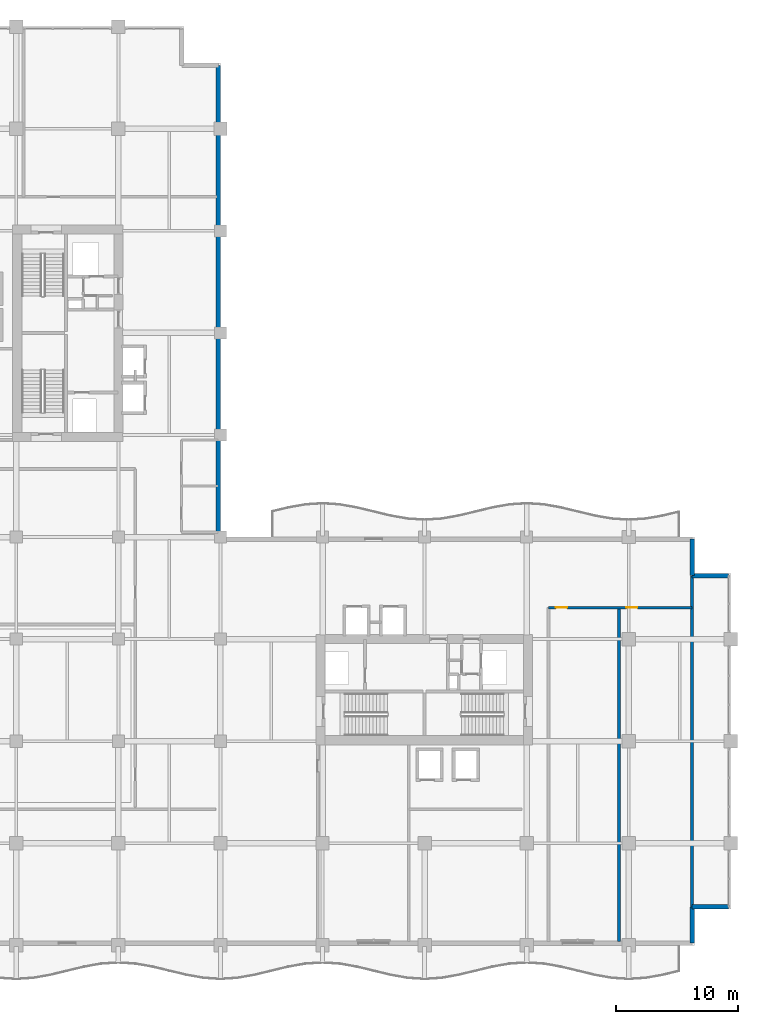
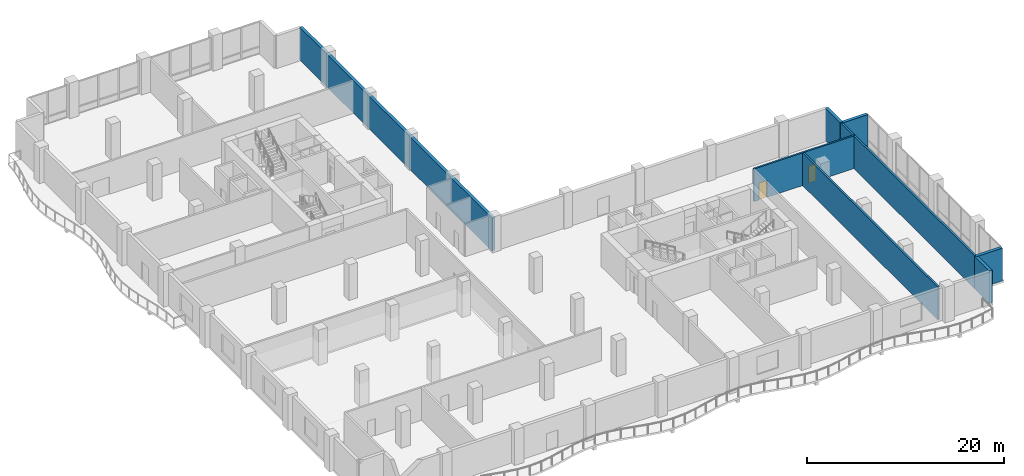
# One storey, part 18 of 25: 8 walls, 2 doors, 2 openings.
"""IFC4 building model written with IfcOpenShell, lengths in metres."""

from ifc_helpers import new_model, si_unit, direction, frame, frame_2d, origin, place, context, subcontext, project, spatial, rectangle, extrude, material, layer, layer_set, type_object, element, fill, save


model = new_model("IFC4")

# Units and contexts
model_context = context("Model", 3, precision=1e-05, world=origin(), true_north=direction((0.0, 1.0)))
body_context = subcontext(model_context, "Body", "Model", "MODEL_VIEW")
ifc_project = project(units=[si_unit("LENGTHUNIT", "METRE"), si_unit("AREAUNIT", "SQUARE_METRE"), si_unit("VOLUMEUNIT", "CUBIC_METRE"), si_unit("PLANEANGLEUNIT", "RADIAN"), si_unit("MASSUNIT", "GRAM", prefix="KILO")], contexts=[model_context])

# Site, building, storey
site_placement = place(None, origin())
site = spatial("IfcSite", under=ifc_project, at=site_placement, CompositionType="ELEMENT")
building_placement = place(site_placement, origin())
building = spatial("IfcBuilding", under=site, at=building_placement, Name="Koriwani Terraces Tower", CompositionType="ELEMENT")
storey_placement = place(building_placement, frame((0.0, 0.0, 157.60009765625)))
storey = spatial("IfcBuildingStorey", under=building, at=storey_placement, Name="L38", CompositionType="ELEMENT", Elevation=157.60009765625)

# Wall, openings, doors
ifc_material_1 = material(Name="Autoclaved Cellular Concrete Blockwork", Category="masonry")
ifc_layer_1 = layer(ifc_material_1, 0.199951171875, Name="Autoclaved Cellular Concrete Blockwork")
ifc_layer_set_1 = layer_set([ifc_layer_1], Name="Autoclaved Cellular Concrete Blockwork")
wall_type_1 = type_object("IfcWallType", Name="WALL_CORRIDOR_200", PredefinedType="PARTITIONING", material=ifc_layer_set_1)
wall_1_placement = place(storey_placement, frame((60.60009765625, 27.800048828125, 0.0), z_axis=(0.0, 0.0, 1.0), x_axis=(1.0, 0.0, 0.0)))
wall_1 = element("IfcWall", 1, at=wall_1_placement, inside=storey, type_object=wall_type_1, Name="L38 Interior Wall WSKY-E1-L38", PredefinedType="PARTITIONING", context=body_context, shape_type="SweptSolid", body=[
    extrude(rectangle(XDim=11.7998046875, YDim=0.199951171875, at=frame_2d((5.89990234375, 0.0))), origin(), (0.0, 0.0, 1.0), 4.0498046875),
])
opening_1_placement = place(wall_1_placement, frame((0.60009765625, 0.0, 0.0)))
opening_1 = element("IfcOpeningElement", 2, at=opening_1_placement, cuts=wall_1, Name="Opening D-06", PredefinedType="OPENING", context=body_context, shape_type="SweptSolid", body=[
    extrude(rectangle(XDim=0.919921875, YDim=2.10009765625, at=frame_2d((0.4599609375, 1.050048828125))), frame((0.0, 0.10986328125, 0.0), z_axis=(0.0, -1.0, 0.0), x_axis=(1.0, 0.0, 0.0)), (0.0, 0.0, 1.0), 0.219970703125),
])
opening_2_placement = place(wall_1_placement, frame((6.39990234375, 0.0, 0.0)))
opening_2 = element("IfcOpeningElement", 3, at=opening_2_placement, cuts=wall_1, Name="Opening D-06", PredefinedType="OPENING", context=body_context, shape_type="SweptSolid", body=[
    extrude(rectangle(XDim=0.919921875, YDim=2.10009765625, at=frame_2d((0.4599609375, 1.050048828125))), frame((0.0, 0.10986328125, 0.0), z_axis=(0.0, -1.0, 0.0), x_axis=(1.0, 0.0, 0.0)), (0.0, 0.0, 1.0), 0.219970703125),
])
ifc_material_2 = material(Name="Architectural Oak Fire Door", Category="wood")
door_type = type_object("IfcDoorType", Name="DOOR_ROOM_INT_920X2100", OperationType="NOTDEFINED", PredefinedType="DOOR", material=ifc_material_2)
door_1_placement = place(opening_1_placement, origin())
door_1 = element("IfcDoor", 4, at=door_1_placement, inside=storey, type_object=door_type, Name="L38 South Panorama Lounge Door", OperationType="SINGLE_SWING_RIGHT", OverallHeight=2.10009765625, OverallWidth=0.919921875, PredefinedType="DOOR", context=body_context, shape_type="SweptSolid", body=[
    extrude(rectangle(XDim=0.919921875, YDim=2.10009765625, at=frame_2d((0.4599609375, 1.050048828125))), frame((0.0, 0.02490234375, 0.0), z_axis=(0.0, -1.0, 0.0), x_axis=(1.0, 0.0, 0.0)), (0.0, 0.0, 1.0), 0.050048828125),
])
fill(opening_1, door_1)
door_2_placement = place(opening_2_placement, origin())
door_2 = element("IfcDoor", 5, at=door_2_placement, inside=storey, type_object=door_type, Name="L38 Sky Garden Restaurant Door", OperationType="SINGLE_SWING_LEFT", OverallHeight=2.10009765625, OverallWidth=0.919921875, PredefinedType="DOOR", context=body_context, shape_type="SweptSolid", body=[
    extrude(rectangle(XDim=0.919921875, YDim=2.10009765625, at=frame_2d((0.4599609375, 1.050048828125))), frame((0.0, 0.02490234375, 0.0), z_axis=(0.0, -1.0, 0.0), x_axis=(1.0, 0.0, 0.0)), (0.0, 0.0, 1.0), 0.050048828125),
])
fill(opening_2, door_2)

# Walls
ifc_layer_2 = layer(ifc_material_1, 0.219970703125, Name="Autoclaved Cellular Concrete Blockwork")
ifc_layer_set_2 = layer_set([ifc_layer_2], Name="Autoclaved Cellular Concrete Blockwork")
wall_type_2 = type_object("IfcWallType", Name="WALL_DEMISING_220", PredefinedType="PARTITIONING", material=ifc_layer_set_2)
wall_2_placement = place(storey_placement, frame((72.39990234375, 3.0, 0.0), z_axis=(0.0, 0.0, 1.0), x_axis=(0.0, 1.0, 0.0)))
element("IfcWall", 6, at=wall_2_placement, inside=storey, type_object=wall_type_2, Name="L38 Interior Wall WSKY-EE-L38", PredefinedType="PARTITIONING", context=body_context, shape_type="SweptSolid", body=[
    extrude(rectangle(XDim=27.39990234375, YDim=0.219970703125, at=frame_2d((13.699951171875, 0.0))), origin(), (0.0, 0.0, 1.0), 4.0498046875),
])
wall_3_placement = place(storey_placement, frame((66.39990234375, 0.300048828125, 0.0), z_axis=(0.0, 0.0, 1.0), x_axis=(0.0, 1.0, 0.0)))
element("IfcWall", 7, at=wall_3_placement, inside=storey, type_object=wall_type_2, Name="L38 Interior Wall WSKY-EDIV-L38", PredefinedType="PARTITIONING", context=body_context, shape_type="SweptSolid", body=[
    extrude(rectangle(XDim=27.5, YDim=0.219970703125, at=frame_2d((13.75, 0.0))), origin(), (0.0, 0.0, 1.0), 4.0498046875),
])
ifc_material_3 = material(Name="Concrete C50/60", Category="concrete")
ifc_layer_3 = layer(ifc_material_3, 0.35009765625, Name="Concrete C50/60")
ifc_layer_set_3 = layer_set([ifc_layer_3], Name="Concrete C50/60")
wall_type_3 = type_object("IfcWallType", Name="WALL_EXT_BRUTALIST_350", PredefinedType="STANDARD", material=ifc_layer_set_3)
wall_4_placement = place(storey_placement, frame((33.425048828125, 72.425048828125, 0.0), z_axis=(0.0, 0.0, 1.0), x_axis=(0.0, -1.0, 0.0)))
element("IfcWall", 8, at=wall_4_placement, inside=storey, type_object=wall_type_3, Name="L38 Fair-Faced Brutalist Exterior Wall (NW_IN)", PredefinedType="STANDARD", context=body_context, shape_type="SweptSolid", body=[
    extrude(rectangle(XDim=39.0, YDim=0.35009765625, at=frame_2d((19.5, 0.0))), origin(), (0.0, 0.0, 1.0), 4.0498046875),
])
for number, where, z_axis, x_axis, name in (
    (9, (72.425048828125, 33.425048828125, 0.0), (0.0, 0.0, 1.0), (0.0, -1.0, 0.0), "L38 Fair-Faced Brutalist Exterior Wall (N10)"),
    (10, (72.425048828125, 30.425048828125, 0.0), (0.0, 0.0, 1.0), (1.0, 0.0, 0.0), "L38 Fair-Faced Brutalist Exterior Wall (N11)"),
    (11, (75.425048828125, 3.175048828125, 0.0), (0.0, 0.0, 1.0), (-1.0, 0.0, 0.0), "L38 Fair-Faced Brutalist Exterior Wall (N13)"),
    (12, (72.425048828125, 3.175048828125, 0.0), (0.0, 0.0, 1.0), (0.0, -1.0, 0.0), "L38 Fair-Faced Brutalist Exterior Wall (N14)"),
):
    element("IfcWall", number, at=place(storey_placement, frame(where, z_axis=z_axis, x_axis=x_axis)), inside=storey, type_object=wall_type_3, Name=name, PredefinedType="STANDARD", context=body_context, shape_type="SweptSolid", body=[
        extrude(rectangle(XDim=3.0, YDim=0.35009765625, at=frame_2d((1.5, 0.0))), origin(), (0.0, 0.0, 1.0), 4.0498046875),
    ])

save(model, "model.ifc")
